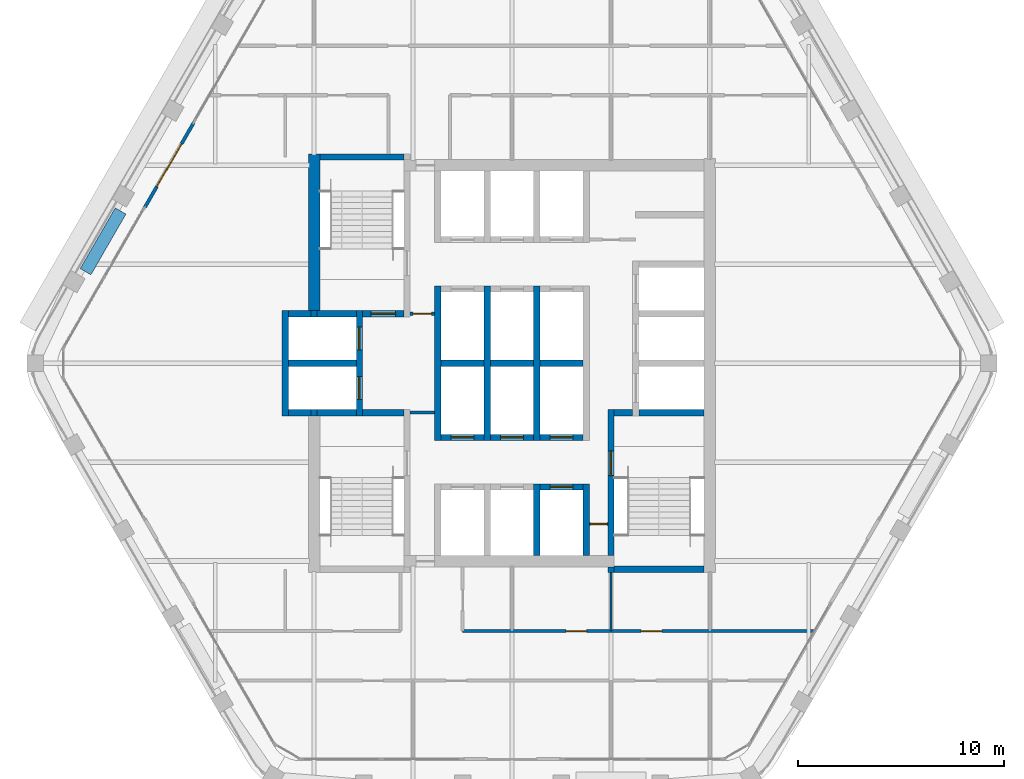
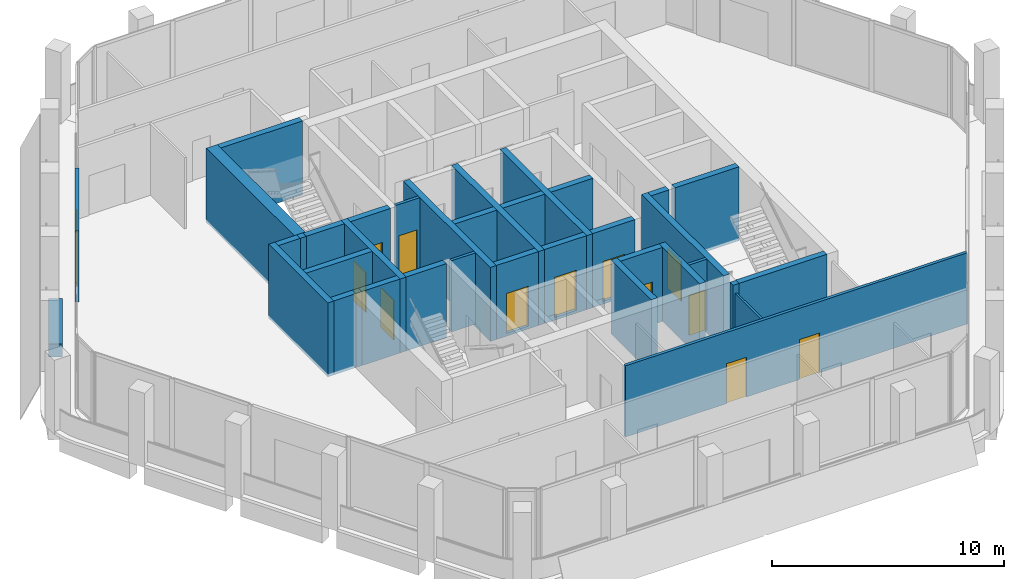
# One storey, part 8 of 13: 37 walls, 13 doors, 13 openings.
"""IFC4 building model written with IfcOpenShell, lengths in metres."""

from ifc_helpers import new_model, si_unit, direction, frame, frame_2d, origin, place, context, subcontext, project, spatial, rectangle, extrude, material, layer, layer_set, type_object, element, fill, save


model = new_model("IFC4")

# Units and contexts
model_context = context("Model", 3, precision=1e-05, world=origin(), true_north=direction((0.0, 1.0)))
body_context = subcontext(model_context, "Body", "Model", "MODEL_VIEW")
ifc_project = project(units=[si_unit("LENGTHUNIT", "METRE"), si_unit("AREAUNIT", "SQUARE_METRE"), si_unit("VOLUMEUNIT", "CUBIC_METRE"), si_unit("PLANEANGLEUNIT", "RADIAN"), si_unit("MASSUNIT", "GRAM", prefix="KILO")], contexts=[model_context])

# Site, building, storey
site_placement = place(None, origin())
site = spatial("IfcSite", under=ifc_project, at=site_placement, CompositionType="ELEMENT")
building_placement = place(site_placement, origin())
building = spatial("IfcBuilding", under=site, at=building_placement, Name="Kolab Exchange Tower", CompositionType="ELEMENT")
storey_placement = place(building_placement, frame((0.0, 0.0, 289.10009765625)))
storey = spatial("IfcBuildingStorey", under=building, at=storey_placement, Name="L65", CompositionType="ELEMENT", Elevation=289.10009765625)

# Wall
ifc_material_1 = material(Name="Concrete C50/60", Category="concrete")
ifc_layer_1 = layer(ifc_material_1, 0.550048828125)
ifc_layer_set_1 = layer_set([ifc_layer_1], Name="Concrete C50/60")
wall_type_1 = type_object("IfcWallType", Name="CORE WALL 550 C50/60", PredefinedType="SHEAR", material=ifc_layer_set_1)
wall_1_placement = place(storey_placement, frame((-9.60009765625, 2.550048828125, -0.150146484375), z_axis=(0.0, 0.0, 1.0), x_axis=(0.0, 1.0, 0.0)))
element("IfcWall", 1, at=wall_1_placement, inside=storey, type_object=wall_type_1, Name="wall/L65/core/037", PredefinedType="SHEAR", context=body_context, shape_type="SweptSolid", body=[
    extrude(rectangle(XDim=7.599853515625, YDim=0.550048828125, at=frame_2d((3.7998046875, 0.0))), origin(), (0.0, 0.0, 1.0), 3.900146484375),
])

# Wall, opening, door
ifc_material_2 = material(Name="Aluminium EN AW-6063 T6", Category="aluminium")
ifc_layer_2 = layer(ifc_material_2, 0.159912109375)
ifc_layer_set_2 = layer_set([ifc_layer_2], Name="Aluminium EN AW-6063 T6")
wall_type_2 = type_object("IfcWallType", Name="DOOR SURROUND WALL 160 ALUMINIUM FRAMED", PredefinedType="PARTITIONING", material=ifc_layer_set_2)
wall_2_placement = place(storey_placement, frame((-17.816650390625, 7.5498046875, 0.0), z_axis=(0.0, 0.0, 1.0), x_axis=(0.499978080042, 0.866038058908, 0.0)))
wall_2 = element("IfcWall", 2, at=wall_2_placement, inside=storey, type_object=wall_type_2, Name="Door surround wall", PredefinedType="PARTITIONING", context=body_context, shape_type="SweptSolid", body=[
    extrude(rectangle(XDim=4.739990234375, YDim=0.159912109375, at=frame_2d((2.3701171875, 0.0))), origin(), (0.0, 0.0, 1.0), 3.75),
])
opening_1_placement = place(wall_2_placement, frame((1.169921875, 0.0, 0.0)))
opening_1 = element("IfcOpeningElement", 3, at=opening_1_placement, cuts=wall_2, Name="Opening GD1-094", PredefinedType="OPENING", context=body_context, shape_type="SweptSolid", body=[
    extrude(rectangle(XDim=2.39990234375, YDim=2.39990234375, at=frame_2d((1.199951171875, 1.199951171875))), frame((0.0, 0.08984375, 0.0), z_axis=(0.0, -1.0, 0.0), x_axis=(1.0, 0.0, 0.0)), (0.0, 0.0, 1.0), 0.179931640625),
])
door_type_1 = type_object("IfcDoorType", Name="LOGGIA SLIDING GLASS DOOR 2400 X 2400", OperationType="DOUBLE_DOOR_SINGLE_SWING", PredefinedType="DOOR", material=ifc_material_2)
door_1_placement = place(opening_1_placement, origin())
door_1 = element("IfcDoor", 4, at=door_1_placement, inside=storey, type_object=door_type_1, Name="Loggia door", OperationType="DOUBLE_DOOR_SLIDING", OverallHeight=2.39990234375, OverallWidth=2.39990234375, PredefinedType="DOOR", context=body_context, shape_type="SweptSolid", body=[
    extrude(rectangle(XDim=2.39990234375, YDim=2.39990234375, at=frame_2d((1.199951171875, 1.199951171875))), frame((0.0, 0.02490234375, 0.0), z_axis=(0.0, -1.0, 0.0), x_axis=(1.0, 0.0, 0.0)), (0.0, 0.0, 1.0), 0.050048828125),
])
fill(opening_1, door_1)

ifc_layer_3 = layer(ifc_material_1, 0.300048828125)
ifc_layer_set_3 = layer_set([ifc_layer_3], Name="Concrete C50/60")
wall_type_3 = type_object("IfcWallType", Name="LIFT SHAFT WALL 300 C50/60", PredefinedType="STANDARD", material=ifc_layer_set_3)
wall_3_placement = place(storey_placement, frame((1.35009765625, -6.0, -0.150146484375), z_axis=(0.0, 0.0, 1.0), x_axis=(1.0, 0.0, 0.0)))
wall_3 = element("IfcWall", 5, at=wall_3_placement, inside=storey, type_object=wall_type_3, Name="wall/L65/core/005", PredefinedType="STANDARD", context=body_context, shape_type="SweptSolid", body=[
    extrude(rectangle(XDim=2.099853515625, YDim=0.300048828125, at=frame_2d((1.0498046875, 0.0))), origin(), (0.0, 0.0, 1.0), 3.900146484375),
])
opening_2_placement = place(wall_3_placement, frame((0.5, 0.0, 0.14990234375)))
opening_2 = element("IfcOpeningElement", 6, at=opening_2_placement, cuts=wall_3, Name="Opening LD1-112", PredefinedType="OPENING", context=body_context, shape_type="SweptSolid", body=[
    extrude(rectangle(XDim=1.10009765625, YDim=2.10009765625, at=frame_2d((0.550048828125, 1.050048828125))), frame((0.0, 0.16015625, 0.0), z_axis=(0.0, -1.0, 0.0), x_axis=(1.0, 0.0, 0.0)), (0.0, 0.0, 1.0), 0.320068359375),
])
ifc_material_3 = material(Name="Stainless steel 316", Category="steel")
door_type_2 = type_object("IfcDoorType", Name="LANDING DOOR 1100 PASSENGER", OperationType="DOUBLE_DOOR_SLIDING", PredefinedType="DOOR", material=ifc_material_3)
door_2_placement = place(opening_2_placement, origin())
door_2 = element("IfcDoor", 7, at=door_2_placement, inside=storey, type_object=door_type_2, Name="Landing door HR12", OperationType="DOUBLE_DOOR_SLIDING", OverallHeight=2.10009765625, OverallWidth=1.10009765625, PredefinedType="DOOR", context=body_context, shape_type="SweptSolid", body=[
    extrude(rectangle(XDim=1.10009765625, YDim=2.10009765625, at=frame_2d((0.550048828125, 1.050048828125))), frame((0.0, 0.02490234375, 0.0), z_axis=(0.0, -1.0, 0.0), x_axis=(1.0, 0.0, 0.0)), (0.0, 0.0, 1.0), 0.050048828125),
])
fill(opening_2, door_2)

wall_4_placement = place(storey_placement, frame((-3.449951171875, -3.60009765625, -0.150146484375), z_axis=(0.0, 0.0, 1.0), x_axis=(1.0, 0.0, 0.0)))
wall_4 = element("IfcWall", 8, at=wall_4_placement, inside=storey, type_object=wall_type_3, Name="wall/L65/core/006", PredefinedType="STANDARD", context=body_context, shape_type="SweptSolid", body=[
    extrude(rectangle(XDim=2.099853515625, YDim=0.300048828125, at=frame_2d((1.0498046875, 0.0))), origin(), (0.0, 0.0, 1.0), 3.900146484375),
])
opening_3_placement = place(wall_4_placement, frame((0.5, 0.0, 0.14990234375)))
opening_3 = element("IfcOpeningElement", 9, at=opening_3_placement, cuts=wall_4, Name="Opening LD1-118", PredefinedType="OPENING", context=body_context, shape_type="SweptSolid", body=[
    extrude(rectangle(XDim=1.10009765625, YDim=2.10009765625, at=frame_2d((0.550048828125, 1.050048828125))), frame((0.0, 0.16015625, 0.0), z_axis=(0.0, -1.0, 0.0), x_axis=(1.0, 0.0, 0.0)), (0.0, 0.0, 1.0), 0.320068359375),
])
door_3_placement = place(opening_3_placement, origin())
door_3 = element("IfcDoor", 10, at=door_3_placement, inside=storey, type_object=door_type_2, Name="Landing door HR7", OperationType="DOUBLE_DOOR_SLIDING", OverallHeight=2.10009765625, OverallWidth=1.10009765625, PredefinedType="DOOR", context=body_context, shape_type="SweptSolid", body=[
    extrude(rectangle(XDim=1.10009765625, YDim=2.10009765625, at=frame_2d((0.550048828125, 1.050048828125))), frame((0.0, 0.02490234375, 0.0), z_axis=(0.0, -1.0, 0.0), x_axis=(1.0, 0.0, 0.0)), (0.0, 0.0, 1.0), 0.050048828125),
])
fill(opening_3, door_3)

wall_5_placement = place(storey_placement, frame((-1.050048828125, -3.60009765625, -0.150146484375), z_axis=(0.0, 0.0, 1.0), x_axis=(1.0, 0.0, 0.0)))
wall_5 = element("IfcWall", 11, at=wall_5_placement, inside=storey, type_object=wall_type_3, Name="wall/L65/core/007", PredefinedType="STANDARD", context=body_context, shape_type="SweptSolid", body=[
    extrude(rectangle(XDim=2.10009765625, YDim=0.300048828125, at=frame_2d((1.050048828125, 0.0))), origin(), (0.0, 0.0, 1.0), 3.900146484375),
])
opening_4_placement = place(wall_5_placement, frame((0.5, 0.0, 0.14990234375)))
opening_4 = element("IfcOpeningElement", 12, at=opening_4_placement, cuts=wall_5, Name="Opening LD1-119", PredefinedType="OPENING", context=body_context, shape_type="SweptSolid", body=[
    extrude(rectangle(XDim=1.10009765625, YDim=2.10009765625, at=frame_2d((0.550048828125, 1.050048828125))), frame((0.0, 0.16015625, 0.0), z_axis=(0.0, -1.0, 0.0), x_axis=(1.0, 0.0, 0.0)), (0.0, 0.0, 1.0), 0.320068359375),
])
door_4_placement = place(opening_4_placement, origin())
door_4 = element("IfcDoor", 13, at=door_4_placement, inside=storey, type_object=door_type_2, Name="Landing door HR8", OperationType="DOUBLE_DOOR_SLIDING", OverallHeight=2.10009765625, OverallWidth=1.10009765625, PredefinedType="DOOR", context=body_context, shape_type="SweptSolid", body=[
    extrude(rectangle(XDim=1.10009765625, YDim=2.10009765625, at=frame_2d((0.550048828125, 1.050048828125))), frame((0.0, 0.02490234375, 0.0), z_axis=(0.0, -1.0, 0.0), x_axis=(1.0, 0.0, 0.0)), (0.0, 0.0, 1.0), 0.050048828125),
])
fill(opening_4, door_4)

wall_6_placement = place(storey_placement, frame((1.35009765625, -3.60009765625, -0.150146484375), z_axis=(0.0, 0.0, 1.0), x_axis=(1.0, 0.0, 0.0)))
wall_6 = element("IfcWall", 14, at=wall_6_placement, inside=storey, type_object=wall_type_3, Name="wall/L65/core/008", PredefinedType="STANDARD", context=body_context, shape_type="SweptSolid", body=[
    extrude(rectangle(XDim=2.099853515625, YDim=0.300048828125, at=frame_2d((1.0498046875, 0.0))), origin(), (0.0, 0.0, 1.0), 3.900146484375),
])
opening_5_placement = place(wall_6_placement, frame((0.5, 0.0, 0.14990234375)))
opening_5 = element("IfcOpeningElement", 15, at=opening_5_placement, cuts=wall_6, Name="Opening LD1-120", PredefinedType="OPENING", context=body_context, shape_type="SweptSolid", body=[
    extrude(rectangle(XDim=1.10009765625, YDim=2.10009765625, at=frame_2d((0.550048828125, 1.050048828125))), frame((0.0, 0.16015625, 0.0), z_axis=(0.0, -1.0, 0.0), x_axis=(1.0, 0.0, 0.0)), (0.0, 0.0, 1.0), 0.320068359375),
])
door_5_placement = place(opening_5_placement, origin())
door_5 = element("IfcDoor", 16, at=door_5_placement, inside=storey, type_object=door_type_2, Name="Landing door HR9", OperationType="DOUBLE_DOOR_SLIDING", OverallHeight=2.10009765625, OverallWidth=1.10009765625, PredefinedType="DOOR", context=body_context, shape_type="SweptSolid", body=[
    extrude(rectangle(XDim=1.10009765625, YDim=2.10009765625, at=frame_2d((0.550048828125, 1.050048828125))), frame((0.0, 0.02490234375, 0.0), z_axis=(0.0, -1.0, 0.0), x_axis=(1.0, 0.0, 0.0)), (0.0, 0.0, 1.0), 0.050048828125),
])
fill(opening_5, door_5)

# Walls
wall_7_placement = place(storey_placement, frame((-10.85009765625, -2.39990234375, -0.150146484375), z_axis=(0.0, 0.0, 1.0), x_axis=(1.0, 0.0, 0.0)))
element("IfcWall", 17, at=wall_7_placement, inside=storey, type_object=wall_type_3, Name="wall/L65/core/009", PredefinedType="STANDARD", context=body_context, shape_type="SweptSolid", body=[
    extrude(rectangle(XDim=1.10009765625, YDim=0.300048828125, at=frame_2d((0.550048828125, 0.0))), origin(), (0.0, 0.0, 1.0), 3.900146484375),
])
wall_8_placement = place(storey_placement, frame((-10.85009765625, 0.0, -0.150146484375), z_axis=(0.0, 0.0, 1.0), x_axis=(1.0, 0.0, 0.0)))
element("IfcWall", 18, at=wall_8_placement, inside=storey, type_object=wall_type_3, Name="wall/L65/core/014", PredefinedType="STANDARD", context=body_context, shape_type="SweptSolid", body=[
    extrude(rectangle(XDim=3.300048828125, YDim=0.300048828125, at=frame_2d((1.64990234375, 0.0))), origin(), (0.0, 0.0, 1.0), 3.900146484375),
])
wall_9_placement = place(storey_placement, frame((-3.449951171875, 0.0, -0.150146484375), z_axis=(0.0, 0.0, 1.0), x_axis=(1.0, 0.0, 0.0)))
element("IfcWall", 19, at=wall_9_placement, inside=storey, type_object=wall_type_3, Name="wall/L65/core/015", PredefinedType="STANDARD", context=body_context, shape_type="SweptSolid", body=[
    extrude(rectangle(XDim=2.099853515625, YDim=0.300048828125, at=frame_2d((1.0498046875, 0.0))), origin(), (0.0, 0.0, 1.0), 3.900146484375),
])
wall_10_placement = place(storey_placement, frame((-1.050048828125, 0.0, -0.150146484375), z_axis=(0.0, 0.0, 1.0), x_axis=(1.0, 0.0, 0.0)))
element("IfcWall", 20, at=wall_10_placement, inside=storey, type_object=wall_type_3, Name="wall/L65/core/016", PredefinedType="STANDARD", context=body_context, shape_type="SweptSolid", body=[
    extrude(rectangle(XDim=2.10009765625, YDim=0.300048828125, at=frame_2d((1.050048828125, 0.0))), origin(), (0.0, 0.0, 1.0), 3.900146484375),
])
wall_11_placement = place(storey_placement, frame((1.35009765625, 0.0, -0.150146484375), z_axis=(0.0, 0.0, 1.0), x_axis=(1.0, 0.0, 0.0)))
element("IfcWall", 21, at=wall_11_placement, inside=storey, type_object=wall_type_3, Name="wall/L65/core/017", PredefinedType="STANDARD", context=body_context, shape_type="SweptSolid", body=[
    extrude(rectangle(XDim=2.099853515625, YDim=0.300048828125, at=frame_2d((1.0498046875, 0.0))), origin(), (0.0, 0.0, 1.0), 3.900146484375),
])
wall_12_placement = place(storey_placement, frame((-10.85009765625, 2.39990234375, -0.150146484375), z_axis=(0.0, 0.0, 1.0), x_axis=(1.0, 0.0, 0.0)))
element("IfcWall", 22, at=wall_12_placement, inside=storey, type_object=wall_type_3, Name="wall/L65/core/019", PredefinedType="STANDARD", context=body_context, shape_type="SweptSolid", body=[
    extrude(rectangle(XDim=1.10009765625, YDim=0.300048828125, at=frame_2d((0.550048828125, 0.0))), origin(), (0.0, 0.0, 1.0), 3.900146484375),
])
wall_13_placement = place(storey_placement, frame((-11.0, -2.550048828125, -0.150146484375), z_axis=(0.0, 0.0, 1.0), x_axis=(0.0, 1.0, 0.0)))
element("IfcWall", 23, at=wall_13_placement, inside=storey, type_object=wall_type_3, Name="wall/L65/core/033", PredefinedType="STANDARD", context=body_context, shape_type="SweptSolid", body=[
    extrude(rectangle(XDim=5.10009765625, YDim=0.300048828125, at=frame_2d((2.550048828125, 0.0))), origin(), (0.0, 0.0, 1.0), 3.900146484375),
])

# Wall, openings, doors
wall_14_placement = place(storey_placement, frame((-7.39990234375, -2.550048828125, -0.150146484375), z_axis=(0.0, 0.0, 1.0), x_axis=(0.0, 1.0, 0.0)))
wall_14 = element("IfcWall", 24, at=wall_14_placement, inside=storey, type_object=wall_type_3, Name="wall/L65/core/038", PredefinedType="STANDARD", context=body_context, shape_type="SweptSolid", body=[
    extrude(rectangle(XDim=5.10009765625, YDim=0.300048828125, at=frame_2d((2.550048828125, 0.0))), origin(), (0.0, 0.0, 1.0), 3.900146484375),
])
opening_6_placement = place(wall_14_placement, frame((0.800048828125, 0.0, 0.14990234375)))
opening_6 = element("IfcOpeningElement", 25, at=opening_6_placement, cuts=wall_14, Name="Opening LD2-025", PredefinedType="OPENING", context=body_context, shape_type="SweptSolid", body=[
    extrude(rectangle(XDim=1.10009765625, YDim=2.10009765625, at=frame_2d((0.550048828125, 1.050048828125))), frame((0.0, 0.16015625, 0.0), z_axis=(0.0, -1.0, 0.0), x_axis=(1.0, 0.0, 0.0)), (0.0, 0.0, 1.0), 0.320068359375),
])
opening_7_placement = place(wall_14_placement, frame((3.199951171875, 0.0, 0.14990234375)))
opening_7 = element("IfcOpeningElement", 26, at=opening_7_placement, cuts=wall_14, Name="Opening LD2-026", PredefinedType="OPENING", context=body_context, shape_type="SweptSolid", body=[
    extrude(rectangle(XDim=1.10009765625, YDim=2.10009765625, at=frame_2d((0.550048828125, 1.050048828125))), frame((0.0, 0.16015625, 0.0), z_axis=(0.0, -1.0, 0.0), x_axis=(1.0, 0.0, 0.0)), (0.0, 0.0, 1.0), 0.320068359375),
])
door_type_3 = type_object("IfcDoorType", Name="LANDING DOOR 1100 FIREFIGHTING", OperationType="DOUBLE_DOOR_SLIDING", PredefinedType="DOOR", material=ifc_material_3)
door_6_placement = place(opening_6_placement, origin())
door_6 = element("IfcDoor", 27, at=door_6_placement, inside=storey, type_object=door_type_3, Name="Landing door FF1", OperationType="DOUBLE_DOOR_SLIDING", OverallHeight=2.10009765625, OverallWidth=1.10009765625, PredefinedType="DOOR", context=body_context, shape_type="SweptSolid", body=[
    extrude(rectangle(XDim=1.10009765625, YDim=2.10009765625, at=frame_2d((0.550048828125, 1.050048828125))), frame((0.0, 0.02490234375, 0.0), z_axis=(0.0, -1.0, 0.0), x_axis=(1.0, 0.0, 0.0)), (0.0, 0.0, 1.0), 0.050048828125),
])
fill(opening_6, door_6)
door_7_placement = place(opening_7_placement, origin())
door_7 = element("IfcDoor", 28, at=door_7_placement, inside=storey, type_object=door_type_3, Name="Landing door FF2", OperationType="DOUBLE_DOOR_SLIDING", OverallHeight=2.10009765625, OverallWidth=1.10009765625, PredefinedType="DOOR", context=body_context, shape_type="SweptSolid", body=[
    extrude(rectangle(XDim=1.10009765625, YDim=2.10009765625, at=frame_2d((0.550048828125, 1.050048828125))), frame((0.0, 0.02490234375, 0.0), z_axis=(0.0, -1.0, 0.0), x_axis=(1.0, 0.0, 0.0)), (0.0, 0.0, 1.0), 0.050048828125),
])
fill(opening_7, door_7)

# Walls
for number, where, z_axis, x_axis, name in (
    (29, (-3.60009765625, -3.75, -0.150146484375), (0.0, 0.0, 1.0), (0.0, 1.0, 0.0), "wall/L65/core/044"),
    (30, (-1.199951171875, -3.75, -0.150146484375), (0.0, 0.0, 1.0), (0.0, 1.0, 0.0), "wall/L65/core/047"),
):
    element("IfcWall", number, at=place(storey_placement, frame(where, z_axis=z_axis, x_axis=x_axis)), inside=storey, type_object=wall_type_3, Name=name, PredefinedType="STANDARD", context=body_context, shape_type="SweptSolid", body=[
        extrude(rectangle(XDim=7.5, YDim=0.300048828125, at=frame_2d((3.75, 0.0))), origin(), (0.0, 0.0, 1.0), 3.900146484375),
    ])
wall_15_placement = place(storey_placement, frame((1.199951171875, -9.324951171875, -0.150146484375), z_axis=(0.0, 0.0, 1.0), x_axis=(0.0, 1.0, 0.0)))
element("IfcWall", 31, at=wall_15_placement, inside=storey, type_object=wall_type_3, Name="wall/L65/core/049", PredefinedType="STANDARD", context=body_context, shape_type="SweptSolid", body=[
    extrude(rectangle(XDim=3.474853515625, YDim=0.300048828125, at=frame_2d((1.7373046875, 0.0))), origin(), (0.0, 0.0, 1.0), 3.900146484375),
])
wall_16_placement = place(storey_placement, frame((1.199951171875, -3.75, -0.150146484375), z_axis=(0.0, 0.0, 1.0), x_axis=(0.0, 1.0, 0.0)))
element("IfcWall", 32, at=wall_16_placement, inside=storey, type_object=wall_type_3, Name="wall/L65/core/050", PredefinedType="STANDARD", context=body_context, shape_type="SweptSolid", body=[
    extrude(rectangle(XDim=7.5, YDim=0.300048828125, at=frame_2d((3.75, 0.0))), origin(), (0.0, 0.0, 1.0), 3.900146484375),
])
wall_17_placement = place(storey_placement, frame((3.60009765625, -9.324951171875, -0.150146484375), z_axis=(0.0, 0.0, 1.0), x_axis=(0.0, 1.0, 0.0)))
element("IfcWall", 33, at=wall_17_placement, inside=storey, type_object=wall_type_3, Name="wall/L65/core/052", PredefinedType="STANDARD", context=body_context, shape_type="SweptSolid", body=[
    extrude(rectangle(XDim=3.474853515625, YDim=0.300048828125, at=frame_2d((1.7373046875, 0.0))), origin(), (0.0, 0.0, 1.0), 3.900146484375),
])
ifc_material_4 = material(Name="Gypsum board", Category="gypsum")
ifc_layer_4 = layer(ifc_material_4, 0.10009765625)
ifc_layer_set_4 = layer_set([ifc_layer_4], Name="Gypsum board")
wall_type_4 = type_object("IfcWallType", Name="PARTITION 100", PredefinedType="PARTITIONING", material=ifc_layer_set_4)
wall_18_placement = place(storey_placement, frame((4.800048828125, -13.0, 0.0), z_axis=(0.0, 0.0, 1.0), x_axis=(0.0, 1.0, 0.0)))
element("IfcWall", 34, at=wall_18_placement, inside=storey, type_object=wall_type_4, Name="Partition 005", PredefinedType="PARTITIONING", context=body_context, shape_type="SweptSolid", body=[
    extrude(rectangle(XDim=2.85009765625, YDim=0.10009765625, at=frame_2d((1.425048828125, 0.0))), origin(), (0.0, 0.0, 1.0), 3.29296875),
])

# Wall, openings, doors
ifc_layer_5 = layer(ifc_material_4, 0.14990234375)
ifc_layer_set_5 = layer_set([ifc_layer_5], Name="Gypsum board")
wall_type_5 = type_object("IfcWallType", Name="PARTITION 150 FIRE-RATED", PredefinedType="PARTITIONING", material=ifc_layer_set_5)
wall_19_placement = place(storey_placement, frame((-2.39990234375, -13.0, 0.0), z_axis=(0.0, 0.0, 1.0), x_axis=(1.0, 0.0, 0.0)))
wall_19 = element("IfcWall", 35, at=wall_19_placement, inside=storey, type_object=wall_type_5, Name="Partition 020", PredefinedType="PARTITIONING", context=body_context, shape_type="SweptSolid", body=[
    extrude(rectangle(XDim=17.023681640625, YDim=0.14990234375, at=frame_2d((8.51171875, 0.0))), origin(), (0.0, 0.0, 1.0), 3.75),
])
opening_8_placement = place(wall_19_placement, frame((5.02490234375, 0.0, 0.0)))
opening_8 = element("IfcOpeningElement", 36, at=opening_8_placement, cuts=wall_19, Name="Opening D1-756", PredefinedType="OPENING", context=body_context, shape_type="SweptSolid", body=[
    extrude(rectangle(XDim=1.0, YDim=2.10009765625, at=frame_2d((0.5, 1.050048828125))), frame((0.0, 0.0849609375, 0.0), z_axis=(0.0, -1.0, 0.0), x_axis=(1.0, 0.0, 0.0)), (0.0, 0.0, 1.0), 0.169921875),
])
opening_9_placement = place(wall_19_placement, frame((8.6650390625, 0.0, 0.0)))
opening_9 = element("IfcOpeningElement", 37, at=opening_9_placement, cuts=wall_19, Name="Opening D1-757", PredefinedType="OPENING", context=body_context, shape_type="SweptSolid", body=[
    extrude(rectangle(XDim=1.0, YDim=2.10009765625, at=frame_2d((0.5, 1.050048828125))), frame((0.0, 0.0849609375, 0.0), z_axis=(0.0, -1.0, 0.0), x_axis=(1.0, 0.0, 0.0)), (0.0, 0.0, 1.0), 0.169921875),
])
ifc_material_5 = material(Name="Steel S235", Category="steel")
door_type_4 = type_object("IfcDoorType", Name="FLUSH DOOR 1000 FD60", OperationType="SINGLE_SWING_LEFT", PredefinedType="DOOR", material=ifc_material_5)
door_8_placement = place(opening_8_placement, origin())
door_8 = element("IfcDoor", 38, at=door_8_placement, inside=storey, type_object=door_type_4, Name="Door L65-036", OperationType="SINGLE_SWING_RIGHT", OverallHeight=2.10009765625, OverallWidth=1.0, PredefinedType="DOOR", context=body_context, shape_type="SweptSolid", body=[
    extrude(rectangle(XDim=1.0, YDim=2.10009765625, at=frame_2d((0.5, 1.050048828125))), frame((0.0, 0.02490234375, 0.0), z_axis=(0.0, -1.0, 0.0), x_axis=(1.0, 0.0, 0.0)), (0.0, 0.0, 1.0), 0.050048828125),
])
fill(opening_8, door_8)
door_9_placement = place(opening_9_placement, origin())
door_9 = element("IfcDoor", 39, at=door_9_placement, inside=storey, type_object=door_type_4, Name="Door L65-037", OperationType="SINGLE_SWING_LEFT", OverallHeight=2.10009765625, OverallWidth=1.0, PredefinedType="DOOR", context=body_context, shape_type="SweptSolid", body=[
    extrude(rectangle(XDim=1.0, YDim=2.10009765625, at=frame_2d((0.5, 1.050048828125))), frame((0.0, 0.02490234375, 0.0), z_axis=(0.0, -1.0, 0.0), x_axis=(1.0, 0.0, 0.0)), (0.0, 0.0, 1.0), 0.050048828125),
])
fill(opening_9, door_9)

# Wall, opening, door
wall_20_placement = place(storey_placement, frame((3.75, -7.800048828125, 0.0), z_axis=(0.0, 0.0, 1.0), x_axis=(1.0, 0.0, 0.0)))
wall_20 = element("IfcWall", 40, at=wall_20_placement, inside=storey, type_object=wall_type_5, Name="Partition 021", PredefinedType="PARTITIONING", context=body_context, shape_type="SweptSolid", body=[
    extrude(rectangle(XDim=0.89990234375, YDim=0.14990234375, at=frame_2d((0.449951171875, 0.0))), origin(), (0.0, 0.0, 1.0), 3.75),
])
opening_10_placement = place(wall_20_placement, frame((0.050048828125, 0.0, 0.0)))
opening_10 = element("IfcOpeningElement", 41, at=opening_10_placement, cuts=wall_20, Name="Opening D7-040", PredefinedType="OPENING", context=body_context, shape_type="SweptSolid", body=[
    extrude(rectangle(XDim=0.800048828125, YDim=2.10009765625, at=frame_2d((0.39990234375, 1.050048828125))), frame((0.0, 0.0849609375, 0.0), z_axis=(0.0, -1.0, 0.0), x_axis=(1.0, 0.0, 0.0)), (0.0, 0.0, 1.0), 0.169921875),
])
door_type_5 = type_object("IfcDoorType", Name="FLUSH DOOR 800 FD60", OperationType="SINGLE_SWING_LEFT", PredefinedType="DOOR", material=ifc_material_5)
door_10_placement = place(opening_10_placement, frame((0.800048828125, 0.0, 0.0), z_axis=(0.0, 0.0, 1.0), x_axis=(-1.0, 0.0, 0.0)))
door_10 = element("IfcDoor", 42, at=door_10_placement, inside=storey, type_object=door_type_5, Name="Door L65-024", OperationType="SINGLE_SWING_RIGHT", OverallHeight=2.10009765625, OverallWidth=0.800048828125, PredefinedType="DOOR", context=body_context, shape_type="SweptSolid", body=[
    extrude(rectangle(XDim=0.800048828125, YDim=2.10009765625, at=frame_2d((0.39990234375, 1.050048828125))), frame((0.0, 0.02490234375, 0.0), z_axis=(0.0, -1.0, 0.0), x_axis=(1.0, 0.0, 0.0)), (0.0, 0.0, 1.0), 0.050048828125),
])
fill(opening_10, door_10)

wall_21_placement = place(storey_placement, frame((-4.949951171875, 2.39990234375, 0.0), z_axis=(0.0, 0.0, 1.0), x_axis=(1.0, 0.0, 0.0)))
wall_21 = element("IfcWall", 43, at=wall_21_placement, inside=storey, type_object=wall_type_5, Name="Fire partition", PredefinedType="PARTITIONING", context=body_context, shape_type="SweptSolid", body=[
    extrude(rectangle(XDim=1.199951171875, YDim=0.14990234375, at=frame_2d((0.60009765625, 0.0))), origin(), (0.0, 0.0, 1.0), 3.75),
])
opening_11_placement = place(wall_21_placement, frame((0.14990234375, 0.0, 0.0)))
opening_11 = element("IfcOpeningElement", 44, at=opening_11_placement, cuts=wall_21, Name="Opening D6-288", PredefinedType="OPENING", context=body_context, shape_type="SweptSolid", body=[
    extrude(rectangle(XDim=0.89990234375, YDim=2.10009765625, at=frame_2d((0.449951171875, 1.050048828125))), frame((0.0, 0.0849609375, 0.0), z_axis=(0.0, -1.0, 0.0), x_axis=(1.0, 0.0, 0.0)), (0.0, 0.0, 1.0), 0.169921875),
])
door_type_6 = type_object("IfcDoorType", Name="CORE DOOR 900 EI 120", OperationType="SINGLE_SWING_LEFT", PredefinedType="DOOR", material=ifc_material_5)
door_11_placement = place(opening_11_placement, frame((0.89990234375, 0.0, 0.0), z_axis=(0.0, 0.0, 1.0), x_axis=(-1.0, 0.0, 0.0)))
door_11 = element("IfcDoor", 45, at=door_11_placement, inside=storey, type_object=door_type_6, Name="Firefighting lobby door", OperationType="SINGLE_SWING_RIGHT", OverallHeight=2.10009765625, OverallWidth=0.89990234375, PredefinedType="DOOR", context=body_context, shape_type="SweptSolid", body=[
    extrude(rectangle(XDim=0.89990234375, YDim=2.10009765625, at=frame_2d((0.449951171875, 1.050048828125))), frame((0.0, 0.02490234375, 0.0), z_axis=(0.0, -1.0, 0.0), x_axis=(1.0, 0.0, 0.0)), (0.0, 0.0, 1.0), 0.050048828125),
])
fill(opening_11, door_11)

# Walls
wall_22_placement = place(storey_placement, frame((-4.949951171875, -2.39990234375, 0.0), z_axis=(0.0, 0.0, 1.0), x_axis=(1.0, 0.0, 0.0)))
element("IfcWall", 46, at=wall_22_placement, inside=storey, type_object=wall_type_5, Name="Fire partition", PredefinedType="PARTITIONING", context=body_context, shape_type="SweptSolid", body=[
    extrude(rectangle(XDim=1.199951171875, YDim=0.14990234375, at=frame_2d((0.60009765625, 0.0))), origin(), (0.0, 0.0, 1.0), 3.75),
])
ifc_material_6 = material(Name="Granite facing", Category="masonry")
ifc_layer_6 = layer(ifc_material_6, 0.0400390625)
ifc_material_7 = material(Name="Concrete C40/50 precast", Category="concrete")
ifc_layer_7 = layer(ifc_material_7, 0.56005859375)
ifc_layer_set_6 = layer_set([ifc_layer_6, ifc_layer_7], Name="Concrete C40/50 precast")
wall_type_6 = type_object("IfcWallType", Name="PLANTER BOX 600 X 700 SOIL DEPTH 550", PredefinedType="USERDEFINED", material=ifc_layer_set_6)
wall_23_placement = place(storey_placement, frame((-20.68701171875, 4.438232421875, 0.0), z_axis=(0.0, 0.0, 1.0), x_axis=(0.500008388397, 0.866020560687, 0.0)))
element("IfcWall", 47, at=wall_23_placement, inside=storey, type_object=wall_type_6, Name="Planter", ObjectType="PLANTER", PredefinedType="USERDEFINED", context=body_context, shape_type="SweptSolid", body=[
    extrude(rectangle(XDim=3.39990234375, YDim=0.60009765625, at=frame_2d((1.699951171875, 0.0))), origin(), (0.0, 0.0, 1.0), 0.699951171875),
])
ifc_layer_8 = layer(ifc_material_1, 0.300048828125)
ifc_layer_set_7 = layer_set([ifc_layer_8], Name="Concrete C50/60")
wall_type_7 = type_object("IfcWallType", Name="STAIR ENCLOSURE WALL 300 C50/60", PredefinedType="STANDARD", material=ifc_layer_set_7)
wall_24_placement = place(storey_placement, frame((4.949951171875, -10.0, -0.150146484375), z_axis=(0.0, 0.0, 1.0), x_axis=(1.0, 0.0, 0.0)))
element("IfcWall", 48, at=wall_24_placement, inside=storey, type_object=wall_type_7, Name="wall/L65/core/001", PredefinedType="STANDARD", context=body_context, shape_type="SweptSolid", body=[
    extrude(rectangle(XDim=4.375, YDim=0.300048828125, at=frame_2d((2.1875, 0.0))), origin(), (0.0, 0.0, 1.0), 3.900146484375),
])
wall_25_placement = place(storey_placement, frame((-9.449951171875, -2.39990234375, -0.150146484375), z_axis=(0.0, 0.0, 1.0), x_axis=(1.0, 0.0, 0.0)))
element("IfcWall", 49, at=wall_25_placement, inside=storey, type_object=wall_type_7, Name="wall/L65/core/010", PredefinedType="STANDARD", context=body_context, shape_type="SweptSolid", body=[
    extrude(rectangle(XDim=1.89990234375, YDim=0.300048828125, at=frame_2d((0.949951171875, 0.0))), origin(), (0.0, 0.0, 1.0), 3.900146484375),
])
wall_26_placement = place(storey_placement, frame((-7.25, -2.39990234375, -0.150146484375), z_axis=(0.0, 0.0, 1.0), x_axis=(1.0, 0.0, 0.0)))
element("IfcWall", 50, at=wall_26_placement, inside=storey, type_object=wall_type_7, Name="wall/L65/core/011", PredefinedType="STANDARD", context=body_context, shape_type="SweptSolid", body=[
    extrude(rectangle(XDim=2.0, YDim=0.300048828125, at=frame_2d((1.0, 0.0))), origin(), (0.0, 0.0, 1.0), 3.900146484375),
])
wall_27_placement = place(storey_placement, frame((4.949951171875, -2.39990234375, -0.150146484375), z_axis=(0.0, 0.0, 1.0), x_axis=(1.0, 0.0, 0.0)))
element("IfcWall", 51, at=wall_27_placement, inside=storey, type_object=wall_type_7, Name="wall/L65/core/012", PredefinedType="STANDARD", context=body_context, shape_type="SweptSolid", body=[
    extrude(rectangle(XDim=0.900146484375, YDim=0.300048828125, at=frame_2d((0.4501953125, 0.0))), origin(), (0.0, 0.0, 1.0), 3.900146484375),
])
wall_28_placement = place(storey_placement, frame((6.14990234375, -2.39990234375, -0.150146484375), z_axis=(0.0, 0.0, 1.0), x_axis=(1.0, 0.0, 0.0)))
element("IfcWall", 52, at=wall_28_placement, inside=storey, type_object=wall_type_7, Name="wall/L65/core/013", PredefinedType="STANDARD", context=body_context, shape_type="SweptSolid", body=[
    extrude(rectangle(XDim=3.175048828125, YDim=0.300048828125, at=frame_2d((1.58740234375, 0.0))), origin(), (0.0, 0.0, 1.0), 3.900146484375),
])
wall_29_placement = place(storey_placement, frame((-9.449951171875, 2.39990234375, -0.150146484375), z_axis=(0.0, 0.0, 1.0), x_axis=(1.0, 0.0, 0.0)))
element("IfcWall", 53, at=wall_29_placement, inside=storey, type_object=wall_type_7, Name="wall/L65/core/020", PredefinedType="STANDARD", context=body_context, shape_type="SweptSolid", body=[
    extrude(rectangle(XDim=1.89990234375, YDim=0.300048828125, at=frame_2d((0.949951171875, 0.0))), origin(), (0.0, 0.0, 1.0), 3.900146484375),
])

# Wall, opening, door
wall_30_placement = place(storey_placement, frame((-7.25, 2.39990234375, -0.150146484375), z_axis=(0.0, 0.0, 1.0), x_axis=(1.0, 0.0, 0.0)))
wall_30 = element("IfcWall", 54, at=wall_30_placement, inside=storey, type_object=wall_type_7, Name="wall/L65/core/021", PredefinedType="STANDARD", context=body_context, shape_type="SweptSolid", body=[
    extrude(rectangle(XDim=2.0, YDim=0.300048828125, at=frame_2d((1.0, 0.0))), origin(), (0.0, 0.0, 1.0), 3.900146484375),
])
opening_12_placement = place(wall_30_placement, frame((0.39990234375, 0.0, 0.14990234375)))
opening_12 = element("IfcOpeningElement", 55, at=opening_12_placement, cuts=wall_30, Name="Opening D4-065", PredefinedType="OPENING", context=body_context, shape_type="SweptSolid", body=[
    extrude(rectangle(XDim=1.199951171875, YDim=2.10009765625, at=frame_2d((0.60009765625, 1.050048828125))), frame((0.0, 0.16015625, 0.0), z_axis=(0.0, -1.0, 0.0), x_axis=(1.0, 0.0, 0.0)), (0.0, 0.0, 1.0), 0.320068359375),
])
door_type_7 = type_object("IfcDoorType", Name="STAIR DOOR 1200 EI 120", OperationType="SINGLE_SWING_LEFT", PredefinedType="DOOR", material=ifc_material_5)
door_12_placement = place(opening_12_placement, origin())
door_12 = element("IfcDoor", 56, at=door_12_placement, inside=storey, type_object=door_type_7, Name="Stair 1 door", OperationType="SINGLE_SWING_RIGHT", OverallHeight=2.10009765625, OverallWidth=1.199951171875, PredefinedType="DOOR", context=body_context, shape_type="SweptSolid", body=[
    extrude(rectangle(XDim=1.199951171875, YDim=2.10009765625, at=frame_2d((0.60009765625, 1.050048828125))), frame((0.0, 0.02490234375, 0.0), z_axis=(0.0, -1.0, 0.0), x_axis=(1.0, 0.0, 0.0)), (0.0, 0.0, 1.0), 0.050048828125),
])
fill(opening_12, door_12)

# Walls
wall_31_placement = place(storey_placement, frame((-9.324951171875, 10.0, -0.150146484375), z_axis=(0.0, 0.0, 1.0), x_axis=(1.0, 0.0, 0.0)))
element("IfcWall", 57, at=wall_31_placement, inside=storey, type_object=wall_type_7, Name="wall/L65/core/032", PredefinedType="STANDARD", context=body_context, shape_type="SweptSolid", body=[
    extrude(rectangle(XDim=4.074951171875, YDim=0.300048828125, at=frame_2d((2.03759765625, 0.0))), origin(), (0.0, 0.0, 1.0), 3.900146484375),
])
for number, where, z_axis, x_axis, name in (
    (58, (-9.60009765625, -2.550048828125, -0.150146484375), (0.0, 0.0, 1.0), (0.0, 1.0, 0.0), "wall/L65/core/035"),
    (59, (-9.60009765625, 2.25, -0.150146484375), (0.0, 0.0, 1.0), (0.0, 1.0, 0.0), "wall/L65/core/036"),
):
    element("IfcWall", number, at=place(storey_placement, frame(where, z_axis=z_axis, x_axis=x_axis)), inside=storey, type_object=wall_type_7, Name=name, PredefinedType="STANDARD", context=body_context, shape_type="SweptSolid", body=[
        extrude(rectangle(XDim=0.300048828125, YDim=0.300048828125, at=frame_2d((0.14990234375, 0.0))), origin(), (0.0, 0.0, 1.0), 3.900146484375),
    ])
wall_32_placement = place(storey_placement, frame((4.800048828125, -10.14990234375, -0.150146484375), z_axis=(0.0, 0.0, 1.0), x_axis=(0.0, 1.0, 0.0)))
element("IfcWall", 60, at=wall_32_placement, inside=storey, type_object=wall_type_7, Name="wall/L65/core/055", PredefinedType="STANDARD", context=body_context, shape_type="SweptSolid", body=[
    extrude(rectangle(XDim=0.27490234375, YDim=0.300048828125, at=frame_2d((0.137451171875, 0.0))), origin(), (0.0, 0.0, 1.0), 3.900146484375),
])

# Wall, opening, door
wall_33_placement = place(storey_placement, frame((4.800048828125, -9.324951171875, -0.150146484375), z_axis=(0.0, 0.0, 1.0), x_axis=(0.0, 1.0, 0.0)))
wall_33 = element("IfcWall", 61, at=wall_33_placement, inside=storey, type_object=wall_type_7, Name="wall/L65/core/056", PredefinedType="STANDARD", context=body_context, shape_type="SweptSolid", body=[
    extrude(rectangle(XDim=7.074951171875, YDim=0.300048828125, at=frame_2d((3.53759765625, 0.0))), origin(), (0.0, 0.0, 1.0), 3.900146484375),
])
opening_13_placement = place(wall_33_placement, frame((3.875, 0.0, 0.14990234375)))
opening_13 = element("IfcOpeningElement", 62, at=opening_13_placement, cuts=wall_33, Name="Opening D4-077", PredefinedType="OPENING", context=body_context, shape_type="SweptSolid", body=[
    extrude(rectangle(XDim=1.199951171875, YDim=2.10009765625, at=frame_2d((0.60009765625, 1.050048828125))), frame((0.0, 0.16015625, 0.0), z_axis=(0.0, -1.0, 0.0), x_axis=(1.0, 0.0, 0.0)), (0.0, 0.0, 1.0), 0.320068359375),
])
door_13_placement = place(opening_13_placement, frame((1.199951171875, 0.0, 0.0), z_axis=(0.0, 0.0, 1.0), x_axis=(-1.0, 0.0, 0.0)))
door_13 = element("IfcDoor", 63, at=door_13_placement, inside=storey, type_object=door_type_7, Name="Stair 2 door", OperationType="SINGLE_SWING_RIGHT", OverallHeight=2.10009765625, OverallWidth=1.199951171875, PredefinedType="DOOR", context=body_context, shape_type="SweptSolid", body=[
    extrude(rectangle(XDim=1.199951171875, YDim=2.10009765625, at=frame_2d((0.60009765625, 1.050048828125))), frame((0.0, 0.02490234375, 0.0), z_axis=(0.0, -1.0, 0.0), x_axis=(1.0, 0.0, 0.0)), (0.0, 0.0, 1.0), 0.050048828125),
])
fill(opening_13, door_13)

save(model, "model.ifc")
